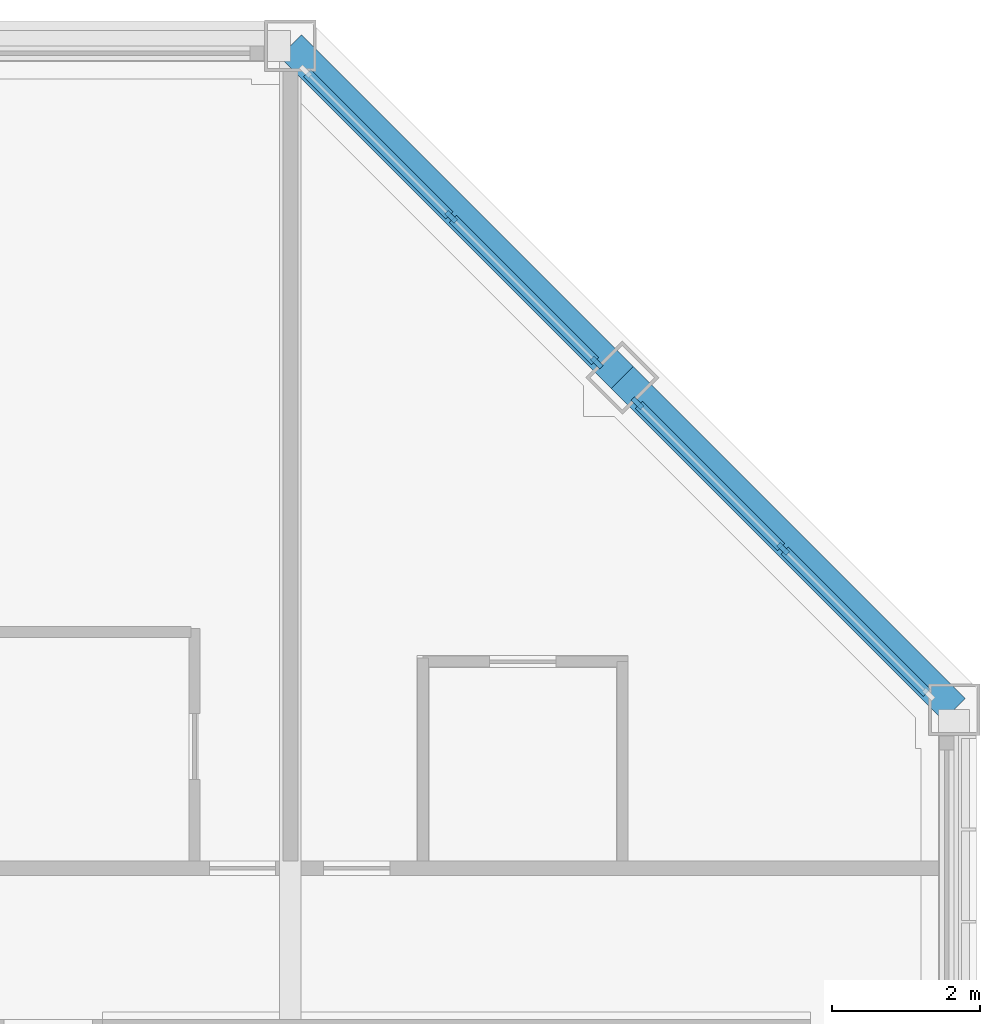
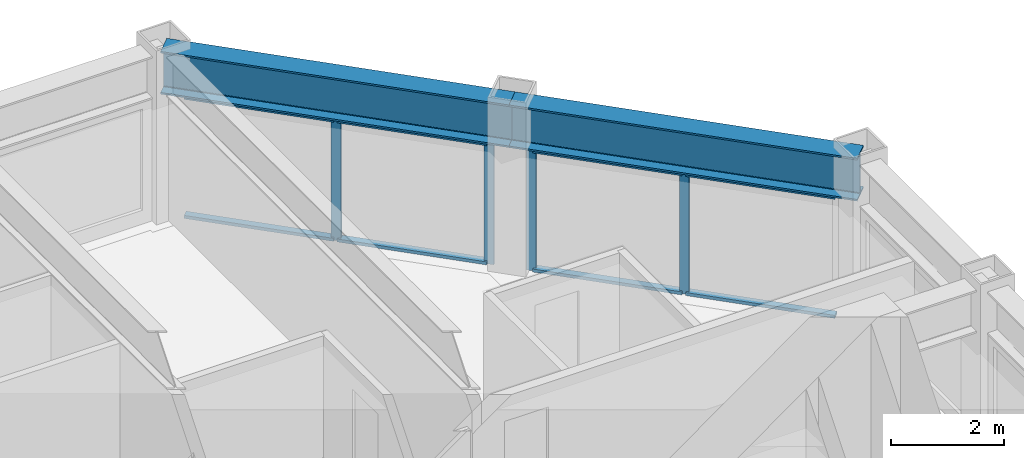
# One storey, part 7 of 17: 12 members, 2 beams, 2 elements without a shape of their own.
"""IFC4 building model written with IfcOpenShell, lengths in metres."""

from ifc_helpers import new_model, si_unit, direction, frame, origin, origin_2d, place, context, subcontext, project, spatial, rectangle, i_section, extrude, material, material_profile, profile_set, type_object, element, aggregate, save


model = new_model("IFC4")

# Units and contexts
model_context = context("Model", 3, precision=1e-05, world=origin(), true_north=direction((0.0, 1.0)))
body_context = subcontext(model_context, "Body", "Model", "MODEL_VIEW")
ifc_project = project(units=[si_unit("LENGTHUNIT", "METRE"), si_unit("AREAUNIT", "SQUARE_METRE"), si_unit("VOLUMEUNIT", "CUBIC_METRE"), si_unit("PLANEANGLEUNIT", "RADIAN"), si_unit("MASSUNIT", "GRAM", prefix="KILO")], contexts=[model_context])

# Site, building, storey
site_placement = place(None, origin())
site = spatial("IfcSite", under=ifc_project, at=site_placement, CompositionType="ELEMENT")
building_placement = place(site_placement, origin())
building = spatial("IfcBuilding", under=site, at=building_placement, Name="Msasa Ring Tower", CompositionType="ELEMENT")
storey_placement = place(building_placement, frame((0.0, 0.0, 234.550048828125)))
storey = spatial("IfcBuildingStorey", under=building, at=storey_placement, Name="L61", CompositionType="ELEMENT", Elevation=234.550048828125)

# Curtain wall, members
ifc_material_1 = material(Name="Aluminium curtain wall with clear glass", Category="aluminium")
curtain_wall_type = type_object("IfcCurtainWallType", Name="CW-C CHAMFER CORNER CURTAIN WALL", PredefinedType="NOTDEFINED", material=ifc_material_1)
curtain_wall_1_placement = place(storey_placement, origin())
curtain_wall_1 = element("IfcCurtainWall", 1, at=curtain_wall_1_placement, inside=storey, type_object=curtain_wall_type, Name="Chamfer corner curtain wall NE L61", PredefinedType="NOTDEFINED")
ifc_material_2 = material(Name="Aluminium mullion", Category="aluminium")
ifc_material_profile_1 = material_profile(ifc_material_2, rectangle(XDim=0.06494140625, YDim=0.179931640625, at=origin_2d()), Name="AL 65x180")
ifc_profile_set_1 = profile_set([ifc_material_profile_1], Name="Aluminium mullion")
member_type_1 = type_object("IfcMemberType", Name="CW-C MULLION 65x180", PredefinedType="MULLION", material=ifc_profile_set_1)
member_1_placement = place(storey_placement, frame((15.4052734375, 15.953369140625, 0.0), z_axis=(0.0, 0.0, 1.0), x_axis=(-0.707106781187, -0.707106781187, 0.0)))
member_1 = element("IfcMember", 2, at=member_1_placement, type_object=member_type_1, Name="CW-C mullion 1", PredefinedType="MULLION", context=body_context, shape_type="SweptSolid", body=[
    extrude(rectangle(XDim=0.06494140625, YDim=0.179931640625, at=origin_2d()), origin(), (0.0, 0.0, 1.0), 2.62890625),
])
member_2_placement = place(storey_placement, frame((13.42919921875, 17.92919921875, 0.0), z_axis=(0.0, 0.0, 1.0), x_axis=(-0.707106781187, -0.707106781187, 0.0)))
member_2 = element("IfcMember", 3, at=member_2_placement, type_object=member_type_1, Name="CW-C mullion 2", PredefinedType="MULLION", context=body_context, shape_type="SweptSolid", body=[
    extrude(rectangle(XDim=0.06494140625, YDim=0.179931640625, at=origin_2d()), origin(), (0.0, 0.0, 1.0), 2.62890625),
])

curtain_wall_2_placement = place(storey_placement, origin())
curtain_wall_2 = element("IfcCurtainWall", 4, at=curtain_wall_2_placement, inside=storey, type_object=curtain_wall_type, Name="Chamfer corner curtain wall NE L61", PredefinedType="NOTDEFINED")
member_3_placement = place(storey_placement, frame((17.92919921875, 13.42919921875, 0.0), z_axis=(0.0, 0.0, 1.0), x_axis=(-0.707106781187, -0.707106781187, 0.0)))
member_3 = element("IfcMember", 5, at=member_3_placement, type_object=member_type_1, Name="CW-C mullion 2", PredefinedType="MULLION", context=body_context, shape_type="SweptSolid", body=[
    extrude(rectangle(XDim=0.06494140625, YDim=0.179931640625, at=origin_2d()), origin(), (0.0, 0.0, 1.0), 2.62890625),
])
member_4_placement = place(storey_placement, frame((15.953369140625, 15.4052734375, 0.0), z_axis=(0.0, 0.0, 1.0), x_axis=(-0.707106781187, -0.707106781187, 0.0)))
member_4 = element("IfcMember", 6, at=member_4_placement, type_object=member_type_1, Name="CW-C mullion 3", PredefinedType="MULLION", context=body_context, shape_type="SweptSolid", body=[
    extrude(rectangle(XDim=0.06494140625, YDim=0.179931640625, at=origin_2d()), origin(), (0.0, 0.0, 1.0), 2.62890625),
])

# Member
ifc_material_3 = material(Name="Aluminium transom", Category="aluminium")
ifc_material_profile_2 = material_profile(ifc_material_3, rectangle(XDim=0.139892578125, YDim=0.06494140625, at=origin_2d()), Name="AL 65x140")
ifc_profile_set_2 = profile_set([ifc_material_profile_2], Name="Aluminium transom")
member_type_2 = type_object("IfcMemberType", Name="CW-C TRANSOM 65x140", PredefinedType="USERDEFINED", material=ifc_profile_set_2)
member_5_placement = place(storey_placement, frame((15.38232421875, 15.976318359375, 0.032470703125), z_axis=(-0.707106781187, 0.707106781187, 0.0), x_axis=(-0.707106781187, -0.707106781187, 0.0)))
member_5 = element("IfcMember", 7, at=member_5_placement, type_object=member_type_2, Name="CW-C transom 1.1", ObjectType="TRANSOM", PredefinedType="USERDEFINED", context=body_context, shape_type="SweptSolid", body=[
    extrude(rectangle(XDim=0.139892578125, YDim=0.06494140625, at=origin_2d()), origin(), (0.0, 0.0, 1.0), 2.729248046875),
])

member_6_placement = place(storey_placement, frame((15.38232421875, 15.976318359375, 2.596435546875), z_axis=(-0.707106781187, 0.707106781187, 0.0), x_axis=(-0.707106781187, -0.707106781187, 0.0)))
member_6 = element("IfcMember", 8, at=member_6_placement, type_object=member_type_2, Name="CW-C transom 1.2", ObjectType="TRANSOM", PredefinedType="USERDEFINED", context=body_context, shape_type="SweptSolid", body=[
    extrude(rectangle(XDim=0.139892578125, YDim=0.06494140625, at=origin_2d()), origin(), (0.0, 0.0, 1.0), 2.729248046875),
])

member_7_placement = place(storey_placement, frame((13.40625, 17.952392578125, 0.032470703125), z_axis=(-0.707106781187, 0.707106781187, 0.0), x_axis=(-0.707106781187, -0.707106781187, 0.0)))
member_7 = element("IfcMember", 9, at=member_7_placement, type_object=member_type_2, Name="CW-C transom 2.1", ObjectType="TRANSOM", PredefinedType="USERDEFINED", context=body_context, shape_type="SweptSolid", body=[
    extrude(rectangle(XDim=0.139892578125, YDim=0.06494140625, at=origin_2d()), origin(), (0.0, 0.0, 1.0), 2.729248046875),
])

member_8_placement = place(storey_placement, frame((13.40625, 17.952392578125, 2.596435546875), z_axis=(-0.707106781187, 0.707106781187, 0.0), x_axis=(-0.707106781187, -0.707106781187, 0.0)))
member_8 = element("IfcMember", 10, at=member_8_placement, type_object=member_type_2, Name="CW-C transom 2.2", ObjectType="TRANSOM", PredefinedType="USERDEFINED", context=body_context, shape_type="SweptSolid", body=[
    extrude(rectangle(XDim=0.139892578125, YDim=0.06494140625, at=origin_2d()), origin(), (0.0, 0.0, 1.0), 2.729248046875),
])

aggregate(curtain_wall_1, [member_1, member_2, member_5, member_6, member_7, member_8])

member_9_placement = place(storey_placement, frame((19.88232421875, 11.476318359375, 0.032470703125), z_axis=(-0.707106781187, 0.707106781187, 0.0), x_axis=(-0.707106781187, -0.707106781187, 0.0)))
member_9 = element("IfcMember", 11, at=member_9_placement, type_object=member_type_2, Name="CW-C transom 1.1", ObjectType="TRANSOM", PredefinedType="USERDEFINED", context=body_context, shape_type="SweptSolid", body=[
    extrude(rectangle(XDim=0.139892578125, YDim=0.06494140625, at=origin_2d()), origin(), (0.0, 0.0, 1.0), 2.729248046875),
])

member_10_placement = place(storey_placement, frame((19.88232421875, 11.476318359375, 2.596435546875), z_axis=(-0.707106781187, 0.707106781187, 0.0), x_axis=(-0.707106781187, -0.707106781187, 0.0)))
member_10 = element("IfcMember", 12, at=member_10_placement, type_object=member_type_2, Name="CW-C transom 1.2", ObjectType="TRANSOM", PredefinedType="USERDEFINED", context=body_context, shape_type="SweptSolid", body=[
    extrude(rectangle(XDim=0.139892578125, YDim=0.06494140625, at=origin_2d()), origin(), (0.0, 0.0, 1.0), 2.729248046875),
])

member_11_placement = place(storey_placement, frame((17.90625, 13.452392578125, 0.032470703125), z_axis=(-0.707106781187, 0.707106781187, 0.0), x_axis=(-0.707106781187, -0.707106781187, 0.0)))
member_11 = element("IfcMember", 13, at=member_11_placement, type_object=member_type_2, Name="CW-C transom 2.1", ObjectType="TRANSOM", PredefinedType="USERDEFINED", context=body_context, shape_type="SweptSolid", body=[
    extrude(rectangle(XDim=0.139892578125, YDim=0.06494140625, at=origin_2d()), origin(), (0.0, 0.0, 1.0), 2.729248046875),
])

member_12_placement = place(storey_placement, frame((17.90625, 13.452392578125, 2.596435546875), z_axis=(-0.707106781187, 0.707106781187, 0.0), x_axis=(-0.707106781187, -0.707106781187, 0.0)))
member_12 = element("IfcMember", 14, at=member_12_placement, type_object=member_type_2, Name="CW-C transom 2.2", ObjectType="TRANSOM", PredefinedType="USERDEFINED", context=body_context, shape_type="SweptSolid", body=[
    extrude(rectangle(XDim=0.139892578125, YDim=0.06494140625, at=origin_2d()), origin(), (0.0, 0.0, 1.0), 2.729248046875),
])

aggregate(curtain_wall_2, [member_3, member_4, member_9, member_10, member_11, member_12])

# Beams
ifc_material_4 = material(Name="Steel S355", Category="steel")
ifc_material_profile_3 = material_profile(ifc_material_4, i_section(OverallWidth=0.42041015625, OverallDepth=0.9208984375, WebThickness=0.021484375, FlangeThickness=0.03662109375, FilletRadius=0.024169921875, at=origin_2d()), Name="UB 914x419x388")
ifc_profile_set_3 = profile_set([ifc_material_profile_3], Name="Steel S355")
beam_type = type_object("IfcBeamType", Name="SB1 UB 914x419x388", PredefinedType="SPANDREL", material=ifc_profile_set_3)
for number, where, z_axis, x_axis, name in (
    (15, (20.25, 11.25, 3.08935546875), (-0.707106781187, 0.707106781187, 0.0), (-0.707106781187, -0.707106781187, 0.0), "Spandrel E+11.25 to NE under L62"),
    (16, (15.75, 15.75, 3.08935546875), (-0.707106781187, 0.707106781187, 0.0), (-0.707106781187, -0.707106781187, 0.0), "Spandrel NE to N+11.25 under L62"),
):
    element("IfcBeam", number, at=place(storey_placement, frame(where, z_axis=z_axis, x_axis=x_axis)), inside=storey, type_object=beam_type, Name=name, PredefinedType="SPANDREL", context=body_context, shape_type="SweptSolid", body=[
        extrude(i_section(OverallWidth=0.42041015625, OverallDepth=0.9208984375, WebThickness=0.021484375, FlangeThickness=0.03662109375, FilletRadius=0.024169921875, at=origin_2d()), origin(), (0.0, 0.0, 1.0), 6.364013671875),
    ])

save(model, "model.ifc")
